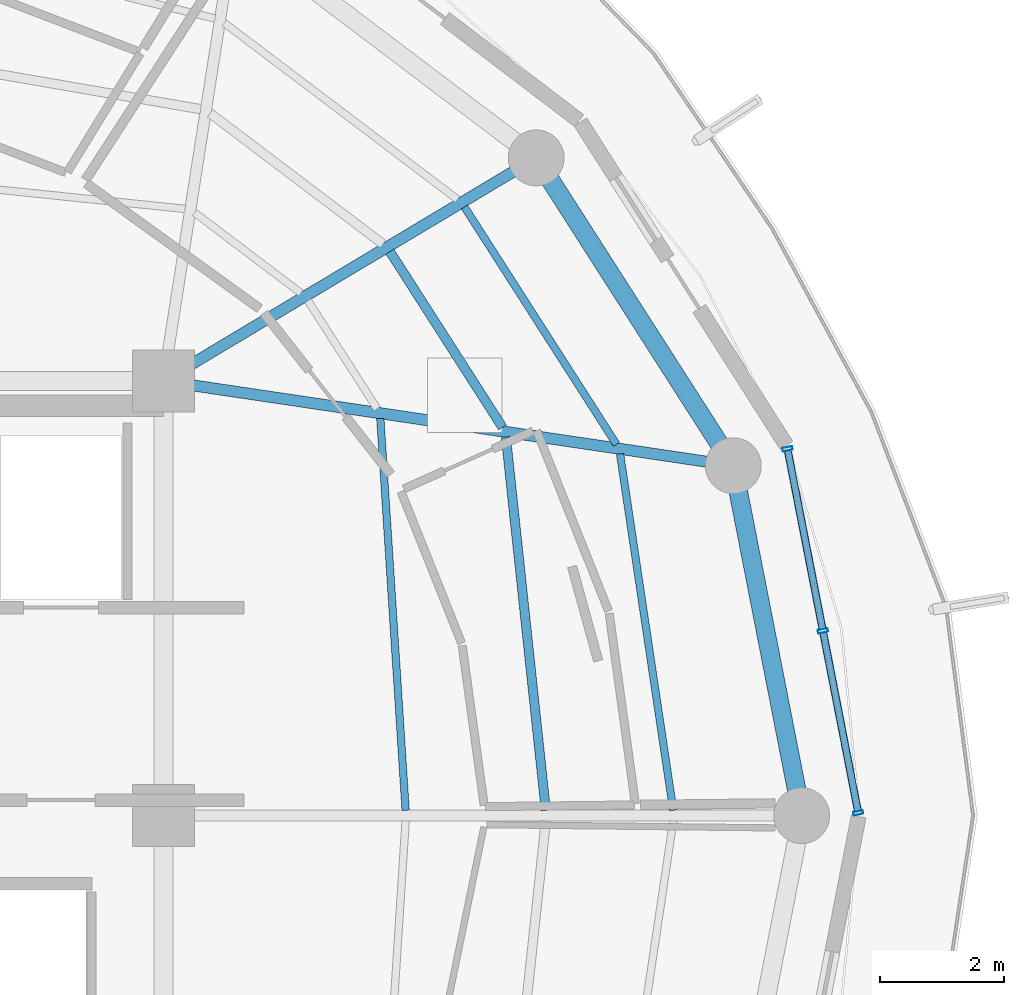
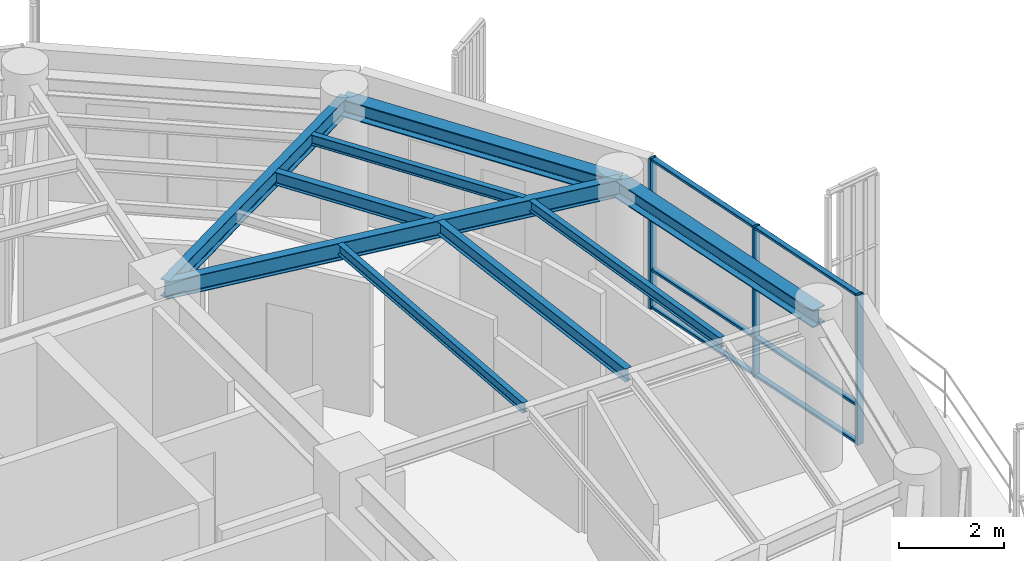
# One storey, part 11 of 23: 9 beams, 9 members, 1 element without a shape of its own.
"""IFC4 building model written with IfcOpenShell, lengths in metres."""

from ifc_helpers import new_model, si_unit, direction, frame, origin, origin_2d, place, context, subcontext, project, spatial, hollow_rectangle, i_section, extrude, material, layer, layer_set, material_profile, profile_set, type_object, element, aggregate, save


model = new_model("IFC4")

# Units and contexts
model_context = context("Model", 3, precision=1e-05, world=origin(), true_north=direction((0.0, 1.0)))
body_context = subcontext(model_context, "Body", "Model", "MODEL_VIEW")
ifc_project = project(units=[si_unit("LENGTHUNIT", "METRE"), si_unit("AREAUNIT", "SQUARE_METRE"), si_unit("VOLUMEUNIT", "CUBIC_METRE"), si_unit("PLANEANGLEUNIT", "RADIAN"), si_unit("MASSUNIT", "GRAM", prefix="KILO")], contexts=[model_context])

# Site, building, storey
site_placement = place(None, origin())
site = spatial("IfcSite", under=ifc_project, at=site_placement, CompositionType="ELEMENT")
building_placement = place(site_placement, origin())
building = spatial("IfcBuilding", under=site, at=building_placement, Name="Kelanora Arch Commons", CompositionType="ELEMENT")
storey_placement = place(building_placement, frame((0.0, 0.0, 278.699951171875)))
storey = spatial("IfcBuildingStorey", under=building, at=storey_placement, Name="L71", CompositionType="ELEMENT", Elevation=278.699951171875)

# Beams
ifc_material_1 = material(Name="Steel S355", Category="steel")
ifc_material_profile_1 = material_profile(ifc_material_1, i_section(OverallWidth=0.14990234375, OverallDepth=0.300048828125, WebThickness=0.007080078125, FlangeThickness=0.0107421875, FilletRadius=0.014892578125, at=origin_2d()), Name="IPE300")
ifc_profile_set_1 = profile_set([ifc_material_profile_1], Name="Steel S355")
beam_type_1 = type_object("IfcBeamType", Name="BM-JST-01", PredefinedType="JOIST", material=ifc_profile_set_1)
beam_1_placement = place(storey_placement, frame((88.158935546875, 58.08447265625, 3.340087890625), z_axis=(-0.106380594087, 0.994325484538, 0.0), x_axis=(-0.994325484538, -0.106380594087, 0.0)))
element("IfcBeam", 1, at=beam_1_placement, inside=storey, type_object=beam_type_1, Name="Secondary Chord Joist BJB-00 L71", PredefinedType="JOIST", context=body_context, shape_type="SweptSolid", body=[
    extrude(i_section(OverallWidth=0.14990234375, OverallDepth=0.300048828125, WebThickness=0.007080078125, FlangeThickness=0.0107421875, FilletRadius=0.014892578125, at=origin_2d()), origin(), (0.0, 0.0, 1.0), 6.04736328125),
])
beam_2_placement = place(storey_placement, frame((87.460693359375, 64.25341796875, 3.340087890625), z_axis=(-0.539321586177, 0.842099891155, 0.0), x_axis=(-0.842099891155, -0.539321586177, 0.0)))
element("IfcBeam", 2, at=beam_2_placement, inside=storey, type_object=beam_type_1, Name="Secondary Chord Joist BJB-02 L71", PredefinedType="JOIST", context=body_context, shape_type="SweptSolid", body=[
    extrude(i_section(OverallWidth=0.14990234375, OverallDepth=0.300048828125, WebThickness=0.007080078125, FlangeThickness=0.0107421875, FilletRadius=0.014892578125, at=origin_2d()), origin(), (0.0, 0.0, 1.0), 3.361572265625),
])
ifc_material_profile_2 = material_profile(ifc_material_1, i_section(OverallWidth=0.1201171875, OverallDepth=0.239990234375, WebThickness=0.006103515625, FlangeThickness=0.009765625, FilletRadius=0.014892578125, at=origin_2d()), Name="IPE240")
ifc_profile_set_2 = profile_set([ifc_material_profile_2], Name="Steel S355")
beam_type_2 = type_object("IfcBeamType", Name="BM-JST-02", PredefinedType="JOIST", material=ifc_profile_set_2)
beam_3_placement = place(storey_placement, frame((85.90087890625, 58.084716796875, 3.3701171875), z_axis=(-0.064495107978, 0.99791802321, 0.0), x_axis=(-0.99791802321, -0.064495107978, 0.0)))
element("IfcBeam", 3, at=beam_3_placement, inside=storey, type_object=beam_type_2, Name="Secondary Chord Joist BJA-00 L71", PredefinedType="JOIST", context=body_context, shape_type="SweptSolid", body=[
    extrude(i_section(OverallWidth=0.1201171875, OverallDepth=0.239990234375, WebThickness=0.006103515625, FlangeThickness=0.009765625, FilletRadius=0.014892578125, at=origin_2d()), origin(), (0.0, 0.0, 1.0), 6.325439453125),
])
beam_4_placement = place(storey_placement, frame((90.21142578125, 58.083984375, 3.3701171875), z_axis=(-0.14762470282, 0.989043450571, 0.0), x_axis=(-0.989043450571, -0.14762470282, 0.0)))
element("IfcBeam", 4, at=beam_4_placement, inside=storey, type_object=beam_type_2, Name="Secondary Chord Joist BJC-00 L71", PredefinedType="JOIST", context=body_context, shape_type="SweptSolid", body=[
    extrude(i_section(OverallWidth=0.1201171875, OverallDepth=0.239990234375, WebThickness=0.006103515625, FlangeThickness=0.009765625, FilletRadius=0.014892578125, at=origin_2d()), origin(), (0.0, 0.0, 1.0), 5.804931640625),
])
beam_5_placement = place(storey_placement, frame((89.296142578125, 63.980712890625, 3.3701171875), z_axis=(-0.539288735289, 0.842120929552, 0.0), x_axis=(-0.842120929552, -0.539288735289, 0.0)))
element("IfcBeam", 5, at=beam_5_placement, inside=storey, type_object=beam_type_2, Name="Secondary Chord Joist BJC-02 L71", PredefinedType="JOIST", context=body_context, shape_type="SweptSolid", body=[
    extrude(i_section(OverallWidth=0.1201171875, OverallDepth=0.239990234375, WebThickness=0.006103515625, FlangeThickness=0.009765625, FilletRadius=0.014892578125, at=origin_2d()), origin(), (0.0, 0.0, 1.0), 4.538818359375),
])
ifc_material_profile_3 = material_profile(ifc_material_1, i_section(OverallWidth=0.179931640625, OverallDepth=0.39990234375, WebThickness=0.008544921875, FlangeThickness=0.013427734375, FilletRadius=0.02099609375, at=origin_2d()), Name="IPE400")
ifc_profile_set_3 = profile_set([ifc_material_profile_3], Name="Steel S355")
beam_type_3 = type_object("IfcBeamType", Name="BM-RAD-Z5", PredefinedType="BEAM", material=ifc_profile_set_3)
beam_6_placement = place(storey_placement, frame((82.0, 65.0, 3.2900390625), z_axis=(0.989142485564, -0.146959665395, 0.0), x_axis=(0.146959665395, 0.989142485564, 0.0)))
element("IfcBeam", 6, at=beam_6_placement, inside=storey, type_object=beam_type_3, Name="Radial Floor Girder BR-02 L71", PredefinedType="BEAM", context=body_context, shape_type="SweptSolid", body=[
    extrude(i_section(OverallWidth=0.179931640625, OverallDepth=0.39990234375, WebThickness=0.008544921875, FlangeThickness=0.013427734375, FilletRadius=0.02099609375, at=origin_2d()), origin(), (0.0, 0.0, 1.0), 9.2783203125),
])
beam_7_placement = place(storey_placement, frame((82.0, 65.0, 3.2900390625), z_axis=(0.858062005744, 0.513546097541, 0.0), x_axis=(-0.513546097541, 0.858062005744, 0.0)))
element("IfcBeam", 7, at=beam_7_placement, inside=storey, type_object=beam_type_3, Name="Radial Floor Girder BR-04 L71", PredefinedType="BEAM", context=body_context, shape_type="SweptSolid", body=[
    extrude(i_section(OverallWidth=0.179931640625, OverallDepth=0.39990234375, WebThickness=0.008544921875, FlangeThickness=0.013427734375, FilletRadius=0.02099609375, at=origin_2d()), origin(), (0.0, 0.0, 1.0), 6.99658203125),
])
ifc_material_profile_4 = material_profile(ifc_material_1, i_section(OverallWidth=0.300048828125, OverallDepth=0.39990234375, WebThickness=0.013427734375, FlangeThickness=0.02392578125, FilletRadius=0.027099609375, at=origin_2d()), Name="HEB400")
ifc_profile_set_4 = profile_set([ifc_material_profile_4], Name="Steel S355")
beam_type_4 = type_object("IfcBeamType", Name="BM-SPN-Z4", PredefinedType="SPANDREL", material=ifc_profile_set_4)
beam_8_placement = place(storey_placement, frame((92.280029296875, 58.0, 3.2900390625), z_axis=(-0.191969774604, 0.981400838413, 0.0), x_axis=(-0.981400838413, -0.191969774604, 0.0)))
element("IfcBeam", 8, at=beam_8_placement, inside=storey, type_object=beam_type_4, Name="Perimeter Spandrel Beam BS-00 L71", PredefinedType="SPANDREL", context=body_context, shape_type="SweptSolid", body=[
    extrude(i_section(OverallWidth=0.300048828125, OverallDepth=0.39990234375, WebThickness=0.013427734375, FlangeThickness=0.02392578125, FilletRadius=0.027099609375, at=origin_2d()), origin(), (0.0, 0.0, 1.0), 5.743408203125),
])
beam_9_placement = place(storey_placement, frame((91.177490234375, 63.636474609375, 3.2900390625), z_axis=(-0.539280851353, 0.842125978322, 0.0), x_axis=(-0.842125978322, -0.539280851353, 0.0)))
element("IfcBeam", 9, at=beam_9_placement, inside=storey, type_object=beam_type_4, Name="Perimeter Spandrel Beam BS-02 L71", PredefinedType="SPANDREL", context=body_context, shape_type="SweptSolid", body=[
    extrude(i_section(OverallWidth=0.300048828125, OverallDepth=0.39990234375, WebThickness=0.013427734375, FlangeThickness=0.02392578125, FilletRadius=0.027099609375, at=origin_2d()), origin(), (0.0, 0.0, 1.0), 5.8857421875),
])

# Curtain wall, members
ifc_material_2 = material(Name="Terracotta ceramic-fritted low-E glass and aluminium", Category="masonry")
ifc_layer = layer(ifc_material_2, 0.18994140625)
ifc_layer_set = layer_set([ifc_layer], Name="Terracotta ceramic-fritted low-E glass and aluminium")
curtain_wall_type = type_object("IfcCurtainWallType", Name="CW-SYS-03", PredefinedType="NOTDEFINED", material=ifc_layer_set)
curtain_wall_placement = place(storey_placement, origin())
curtain_wall = element("IfcCurtainWall", 10, at=curtain_wall_placement, inside=storey, type_object=curtain_wall_type, Name="Unitised Curtain Wall L71-B00", PredefinedType="NOTDEFINED")
ifc_material_3 = material(Name="Powder-coated aluminium terracotta", Category="masonry")
ifc_material_profile_5 = material_profile(ifc_material_3, hollow_rectangle(XDim=0.159912109375, YDim=0.06005859375, WallThickness=0.0048828125, InnerFilletRadius=0.0048828125, OuterFilletRadius=0.010009765625, at=origin_2d()), Name="CWM160x60")
ifc_profile_set_5 = profile_set([ifc_material_profile_5], Name="Powder-coated aluminium terracotta")
member_type_1 = type_object("IfcMemberType", Name="CWM-STD", PredefinedType="MULLION", material=ifc_profile_set_5)
member_1_placement = place(storey_placement, frame((93.19140625, 58.044189453125, 0.0), z_axis=(0.0, 0.0, 1.0), x_axis=(-0.981595542501, -0.190971701941, 0.0)))
member_1 = element("IfcMember", 11, at=member_1_placement, type_object=member_type_1, Name="CW-03 mullion 1", PredefinedType="MULLION", context=body_context, shape_type="SweptSolid", body=[
    extrude(hollow_rectangle(XDim=0.159912109375, YDim=0.06005859375, WallThickness=0.0048828125, InnerFilletRadius=0.0048828125, OuterFilletRadius=0.010009765625, at=origin_2d()), origin(), (0.0, 0.0, 1.0), 3.47509765625),
])
member_2_placement = place(storey_placement, frame((92.62109375, 60.9755859375, 0.0), z_axis=(0.0, 0.0, 1.0), x_axis=(-0.981595542501, -0.190971701941, 0.0)))
member_2 = element("IfcMember", 12, at=member_2_placement, type_object=member_type_1, Name="CW-03 mullion 2", PredefinedType="MULLION", context=body_context, shape_type="SweptSolid", body=[
    extrude(hollow_rectangle(XDim=0.159912109375, YDim=0.06005859375, WallThickness=0.0048828125, InnerFilletRadius=0.0048828125, OuterFilletRadius=0.010009765625, at=origin_2d()), origin(), (0.0, 0.0, 1.0), 3.47509765625),
])
member_3_placement = place(storey_placement, frame((92.05078125, 63.906982421875, 0.0), z_axis=(0.0, 0.0, 1.0), x_axis=(-0.981595542501, -0.190971701941, 0.0)))
member_3 = element("IfcMember", 13, at=member_3_placement, type_object=member_type_1, Name="CW-03 mullion 3", PredefinedType="MULLION", context=body_context, shape_type="SweptSolid", body=[
    extrude(hollow_rectangle(XDim=0.159912109375, YDim=0.06005859375, WallThickness=0.0048828125, InnerFilletRadius=0.0048828125, OuterFilletRadius=0.010009765625, at=origin_2d()), origin(), (0.0, 0.0, 1.0), 3.47509765625),
])
ifc_material_profile_6 = material_profile(ifc_material_3, hollow_rectangle(XDim=0.1201171875, YDim=0.06005859375, WallThickness=0.0048828125, InnerFilletRadius=0.0048828125, OuterFilletRadius=0.010009765625, at=origin_2d()), Name="CWT120x60")
ifc_profile_set_6 = profile_set([ifc_material_profile_6], Name="Powder-coated aluminium terracotta")
member_type_2 = type_object("IfcMemberType", Name="CWT-STD", PredefinedType="USERDEFINED", material=ifc_profile_set_6)
member_4_placement = place(storey_placement, frame((93.185546875, 58.073486328125, 0.030029296875), z_axis=(-0.190963443354, 0.981597149192, 0.0), x_axis=(-0.981597149192, -0.190963443354, 0.0)))
member_4 = element("IfcMember", 14, at=member_4_placement, type_object=member_type_2, Name="CW-03 transom 1.1", ObjectType="TRANSOM", PredefinedType="USERDEFINED", context=body_context, shape_type="SweptSolid", body=[
    extrude(hollow_rectangle(XDim=0.1201171875, YDim=0.06005859375, WallThickness=0.0048828125, InnerFilletRadius=0.0048828125, OuterFilletRadius=0.010009765625, at=origin_2d()), origin(), (0.0, 0.0, 1.0), 2.926513671875),
])
member_5_placement = place(storey_placement, frame((93.185546875, 58.073486328125, 0.900146484375), z_axis=(-0.190963443354, 0.981597149192, 0.0), x_axis=(-0.981597149192, -0.190963443354, 0.0)))
member_5 = element("IfcMember", 15, at=member_5_placement, type_object=member_type_2, Name="CW-03 transom 1.2", ObjectType="TRANSOM", PredefinedType="USERDEFINED", context=body_context, shape_type="SweptSolid", body=[
    extrude(hollow_rectangle(XDim=0.1201171875, YDim=0.06005859375, WallThickness=0.0048828125, InnerFilletRadius=0.0048828125, OuterFilletRadius=0.010009765625, at=origin_2d()), origin(), (0.0, 0.0, 1.0), 2.926513671875),
])
member_6_placement = place(storey_placement, frame((93.185546875, 58.073486328125, 3.445068359375), z_axis=(-0.190963443354, 0.981597149192, 0.0), x_axis=(-0.981597149192, -0.190963443354, 0.0)))
member_6 = element("IfcMember", 16, at=member_6_placement, type_object=member_type_2, Name="CW-03 transom 1.3", ObjectType="TRANSOM", PredefinedType="USERDEFINED", context=body_context, shape_type="SweptSolid", body=[
    extrude(hollow_rectangle(XDim=0.1201171875, YDim=0.06005859375, WallThickness=0.0048828125, InnerFilletRadius=0.0048828125, OuterFilletRadius=0.010009765625, at=origin_2d()), origin(), (0.0, 0.0, 1.0), 2.926513671875),
])
member_7_placement = place(storey_placement, frame((92.615234375, 61.005126953125, 0.030029296875), z_axis=(-0.190963443354, 0.981597149192, 0.0), x_axis=(-0.981597149192, -0.190963443354, 0.0)))
member_7 = element("IfcMember", 17, at=member_7_placement, type_object=member_type_2, Name="CW-03 transom 2.1", ObjectType="TRANSOM", PredefinedType="USERDEFINED", context=body_context, shape_type="SweptSolid", body=[
    extrude(hollow_rectangle(XDim=0.1201171875, YDim=0.06005859375, WallThickness=0.0048828125, InnerFilletRadius=0.0048828125, OuterFilletRadius=0.010009765625, at=origin_2d()), origin(), (0.0, 0.0, 1.0), 2.926513671875),
])
member_8_placement = place(storey_placement, frame((92.615234375, 61.005126953125, 0.900146484375), z_axis=(-0.190963443354, 0.981597149192, 0.0), x_axis=(-0.981597149192, -0.190963443354, 0.0)))
member_8 = element("IfcMember", 18, at=member_8_placement, type_object=member_type_2, Name="CW-03 transom 2.2", ObjectType="TRANSOM", PredefinedType="USERDEFINED", context=body_context, shape_type="SweptSolid", body=[
    extrude(hollow_rectangle(XDim=0.1201171875, YDim=0.06005859375, WallThickness=0.0048828125, InnerFilletRadius=0.0048828125, OuterFilletRadius=0.010009765625, at=origin_2d()), origin(), (0.0, 0.0, 1.0), 2.926513671875),
])
member_9_placement = place(storey_placement, frame((92.615234375, 61.005126953125, 3.445068359375), z_axis=(-0.190963443354, 0.981597149192, 0.0), x_axis=(-0.981597149192, -0.190963443354, 0.0)))
member_9 = element("IfcMember", 19, at=member_9_placement, type_object=member_type_2, Name="CW-03 transom 2.3", ObjectType="TRANSOM", PredefinedType="USERDEFINED", context=body_context, shape_type="SweptSolid", body=[
    extrude(hollow_rectangle(XDim=0.1201171875, YDim=0.06005859375, WallThickness=0.0048828125, InnerFilletRadius=0.0048828125, OuterFilletRadius=0.010009765625, at=origin_2d()), origin(), (0.0, 0.0, 1.0), 2.926513671875),
])
aggregate(curtain_wall, [member_1, member_2, member_3, member_4, member_5, member_6, member_7, member_8, member_9])

save(model, "model.ifc")
